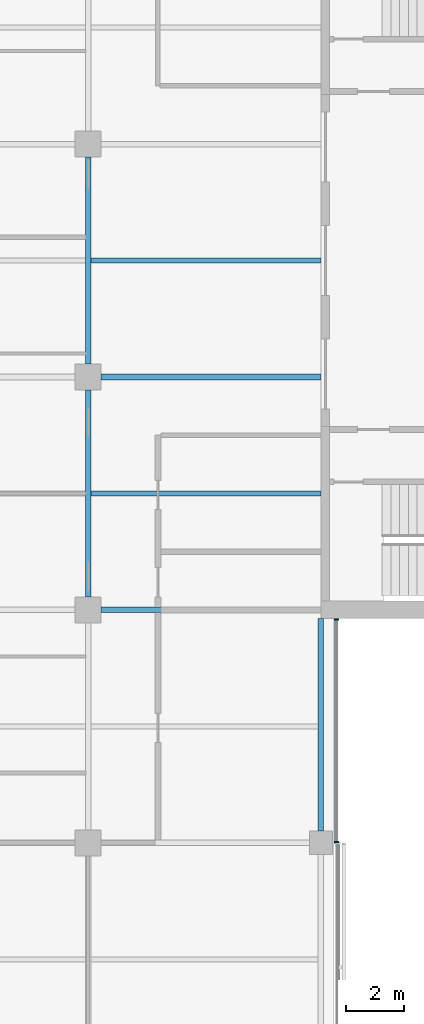
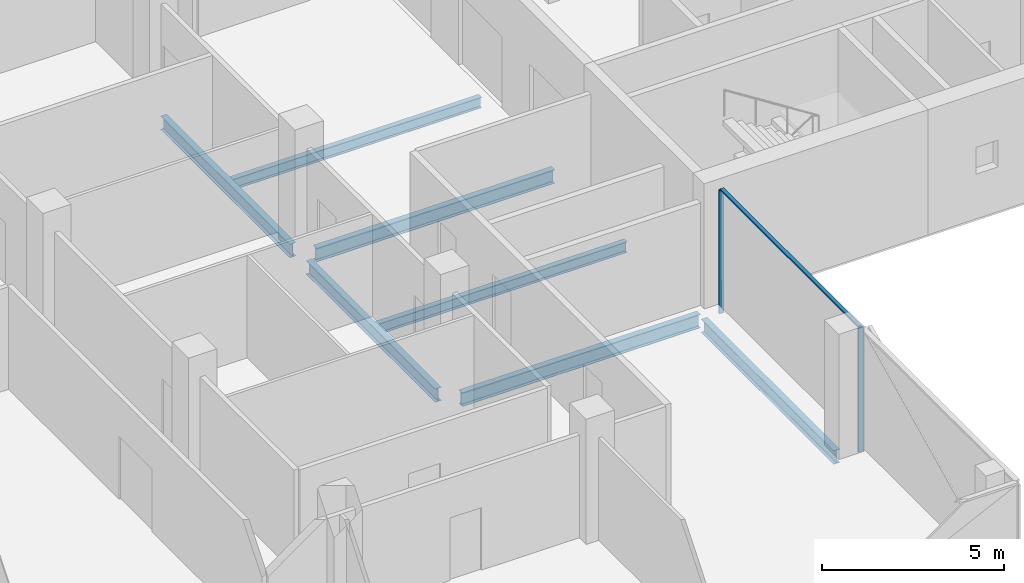
# One storey, part 4 of 15: 7 beams, 3 members, 1 element without a shape of its own.
"""IFC4 building model written with IfcOpenShell, lengths in metres."""

from ifc_helpers import new_model, si_unit, direction, frame, origin, origin_2d, place, context, subcontext, project, spatial, rectangle, i_section, extrude, material, material_profile, profile_set, type_object, element, aggregate, save


model = new_model("IFC4")

# Units and contexts
model_context = context("Model", 3, precision=1e-05, world=origin(), true_north=direction((0.0, 1.0)))
body_context = subcontext(model_context, "Body", "Model", "MODEL_VIEW")
ifc_project = project(units=[si_unit("LENGTHUNIT", "METRE"), si_unit("AREAUNIT", "SQUARE_METRE"), si_unit("VOLUMEUNIT", "CUBIC_METRE"), si_unit("PLANEANGLEUNIT", "RADIAN"), si_unit("MASSUNIT", "GRAM", prefix="KILO")], contexts=[model_context])

# Site, building, storey
site_placement = place(None, origin())
site = spatial("IfcSite", under=ifc_project, at=site_placement, CompositionType="ELEMENT")
building_placement = place(site_placement, origin())
building = spatial("IfcBuilding", under=site, at=building_placement, Name="Crosswind Convention Tower", CompositionType="ELEMENT")
storey_placement = place(building_placement, frame((0.0, 0.0, 187.300048828125)))
storey = spatial("IfcBuildingStorey", under=building, at=storey_placement, Name="L39", CompositionType="ELEMENT", Elevation=187.300048828125)

# Beams
ifc_material_1 = material(Name="Steel S355", Category="steel")
ifc_material_profile_1 = material_profile(ifc_material_1, i_section(OverallWidth=0.18994140625, OverallDepth=0.45361328125, WebThickness=0.008544921875, FlangeThickness=0.0126953125, FilletRadius=0.01025390625, at=origin_2d()), Name="UB 457x191x67")
ifc_profile_set_1 = profile_set([ifc_material_profile_1], Name="Steel S355")
beam_type_1 = type_object("IfcBeamType", Name="Edge beam UB 457x191x67", PredefinedType="SPANDREL", material=ifc_profile_set_1)
beam_placement = place(storey_placement, frame((137.0, 80.39990234375, -0.52685546875), z_axis=(0.0, 1.0, 0.0), x_axis=(-1.0, 0.0, 0.0)))
element("IfcBeam", 1, at=beam_placement, inside=storey, type_object=beam_type_1, Name="B16 L39 edge beam 12", PredefinedType="SPANDREL", context=body_context, shape_type="SweptSolid", body=[
    extrude(i_section(OverallWidth=0.18994140625, OverallDepth=0.45361328125, WebThickness=0.008544921875, FlangeThickness=0.0126953125, FilletRadius=0.01025390625, at=origin_2d()), origin(), (0.0, 0.0, 1.0), 7.300048828125),
])
ifc_material_profile_2 = material_profile(ifc_material_1, i_section(OverallWidth=0.1904296875, OverallDepth=0.457275390625, WebThickness=0.009033203125, FlangeThickness=0.014404296875, FilletRadius=0.01025390625, at=origin_2d()), Name="UB 457x191x75")
ifc_profile_set_2 = profile_set([ifc_material_profile_2], Name="Steel S355")
beam_type_2 = type_object("IfcBeamType", Name="Girder UB 457x191x75", PredefinedType="BEAM", material=ifc_profile_set_2)
for number, where, z_axis, x_axis, name in (
    (2, (129.0, 88.449951171875, -0.528564453125), (0.0, 1.0, 0.0), (-1.0, 0.0, 0.0), "B2 L39 girder 18"),
    (3, (129.0, 96.449951171875, -0.528564453125), (0.0, 1.0, 0.0), (-1.0, 0.0, 0.0), "B2 L39 girder 19"),
):
    element("IfcBeam", number, at=place(storey_placement, frame(where, z_axis=z_axis, x_axis=x_axis)), inside=storey, type_object=beam_type_2, Name=name, PredefinedType="BEAM", context=body_context, shape_type="SweptSolid", body=[
        extrude(i_section(OverallWidth=0.1904296875, OverallDepth=0.457275390625, WebThickness=0.009033203125, FlangeThickness=0.014404296875, FilletRadius=0.01025390625, at=origin_2d()), origin(), (0.0, 0.0, 1.0), 7.10009765625),
    ])
ifc_material_profile_3 = material_profile(ifc_material_1, i_section(OverallWidth=0.19140625, OverallDepth=0.460205078125, WebThickness=0.010009765625, FlangeThickness=0.01611328125, FilletRadius=0.01025390625, at=origin_2d()), Name="UB 457x191x82")
ifc_profile_set_3 = profile_set([ifc_material_profile_3], Name="Steel S355")
beam_type_3 = type_object("IfcBeamType", Name="Girder at core wall UB 457x191x82", PredefinedType="BEAM", material=ifc_profile_set_3)
for number, where, z_axis, x_axis, name in (
    (4, (129.449951171875, 88.0, -0.530029296875), (1.0, 0.0, 0.0), (0.0, 1.0, 0.0), "B23 L39 girder at core wall 5"),
    (5, (129.449951171875, 96.0, -0.530029296875), (1.0, 0.0, 0.0), (0.0, 1.0, 0.0), "B23 L39 girder at core wall 6"),
):
    element("IfcBeam", number, at=place(storey_placement, frame(where, z_axis=z_axis, x_axis=x_axis)), inside=storey, type_object=beam_type_3, Name=name, PredefinedType="BEAM", context=body_context, shape_type="SweptSolid", body=[
        extrude(i_section(OverallWidth=0.19140625, OverallDepth=0.460205078125, WebThickness=0.010009765625, FlangeThickness=0.01611328125, FilletRadius=0.01025390625, at=origin_2d()), origin(), (0.0, 0.0, 1.0), 7.550048828125),
    ])

# Curtain wall, members
ifc_material_2 = material(Name="Aluminium unitised curtain wall", Category="aluminium")
curtain_wall_type = type_object("IfcCurtainWallType", Name="CORE END SLOT WALL 160", PredefinedType="USERDEFINED", material=ifc_material_2)
curtain_wall_placement = place(storey_placement, origin())
curtain_wall = element("IfcCurtainWall", 6, at=curtain_wall_placement, inside=storey, type_object=curtain_wall_type, Name="CW6 L39 S-E.1-2 slot", ObjectType="UNITISED", PredefinedType="USERDEFINED")
ifc_material_3 = material(Name="Aluminium mullion", Category="aluminium")
ifc_material_profile_4 = material_profile(ifc_material_3, rectangle(XDim=0.159912109375, YDim=0.050048828125, at=origin_2d()), Name="AL 160X50")
ifc_profile_set_4 = profile_set([ifc_material_profile_4], Name="Aluminium mullion")
member_type_1 = type_object("IfcMemberType", Name="MULLION 50X160", PredefinedType="MULLION", material=ifc_profile_set_4)
member_1_placement = place(storey_placement, frame((137.530029296875, 80.02490234375, -0.300048828125), z_axis=(0.0, 0.0, 1.0), x_axis=(1.0, 0.0, 0.0)))
member_1 = element("IfcMember", 7, at=member_1_placement, type_object=member_type_1, Name="CW6 mullion 1", PredefinedType="MULLION", context=body_context, shape_type="SweptSolid", body=[
    extrude(rectangle(XDim=0.159912109375, YDim=0.050048828125, at=origin_2d()), origin(), (0.0, 0.0, 1.0), 4.14990234375),
])
member_2_placement = place(storey_placement, frame((137.530029296875, 87.675048828125, -0.300048828125), z_axis=(0.0, 0.0, 1.0), x_axis=(1.0, 0.0, 0.0)))
member_2 = element("IfcMember", 8, at=member_2_placement, type_object=member_type_1, Name="CW6 mullion 2", PredefinedType="MULLION", context=body_context, shape_type="SweptSolid", body=[
    extrude(rectangle(XDim=0.159912109375, YDim=0.050048828125, at=origin_2d()), origin(), (0.0, 0.0, 1.0), 4.14990234375),
])

# Beams
ifc_material_profile_5 = material_profile(ifc_material_1, i_section(OverallWidth=0.172119140625, OverallDepth=0.358642578125, WebThickness=0.008056640625, FlangeThickness=0.012939453125, FilletRadius=0.01025390625, at=origin_2d()), Name="UB 356x171x57")
ifc_profile_set_5 = profile_set([ifc_material_profile_5], Name="Steel S355")
beam_type_4 = type_object("IfcBeamType", Name="Secondary beam UB 356x171x57", PredefinedType="JOIST", material=ifc_profile_set_5)
for number, where, z_axis, x_axis, name in (
    (9, (129.09521484375, 92.0, -0.479248046875), (1.0, 0.0, 0.0), (0.0, 1.0, 0.0), "B9 L39 secondary beam 17"),
    (10, (129.09521484375, 100.0, -0.479248046875), (1.0, 0.0, 0.0), (0.0, 1.0, 0.0), "B9 L39 secondary beam 18"),
):
    element("IfcBeam", number, at=place(storey_placement, frame(where, z_axis=z_axis, x_axis=x_axis)), inside=storey, type_object=beam_type_4, Name=name, PredefinedType="JOIST", context=body_context, shape_type="SweptSolid", body=[
        extrude(i_section(OverallWidth=0.172119140625, OverallDepth=0.358642578125, WebThickness=0.008056640625, FlangeThickness=0.012939453125, FilletRadius=0.01025390625, at=origin_2d()), origin(), (0.0, 0.0, 1.0), 7.90478515625),
    ])

# Member
ifc_material_4 = material(Name="Aluminium transom", Category="aluminium")
ifc_material_profile_6 = material_profile(ifc_material_4, rectangle(XDim=0.1201171875, YDim=0.050048828125, at=origin_2d()), Name="AL 120X50")
ifc_profile_set_6 = profile_set([ifc_material_profile_6], Name="Aluminium transom")
member_type_2 = type_object("IfcMemberType", Name="TRANSOM 50X120", PredefinedType="USERDEFINED", material=ifc_profile_set_6)
member_3_placement = place(storey_placement, frame((137.530029296875, 80.050048828125, 3.875), z_axis=(0.0, 1.0, 0.0), x_axis=(-1.0, 0.0, 0.0)))
member_3 = element("IfcMember", 11, at=member_3_placement, type_object=member_type_2, Name="CW6 transom", ObjectType="TRANSOM", PredefinedType="USERDEFINED", context=body_context, shape_type="SweptSolid", body=[
    extrude(rectangle(XDim=0.1201171875, YDim=0.050048828125, at=origin_2d()), origin(), (0.0, 0.0, 1.0), 7.599853515625),
])

aggregate(curtain_wall, [member_1, member_2, member_3])

save(model, "model.ifc")
